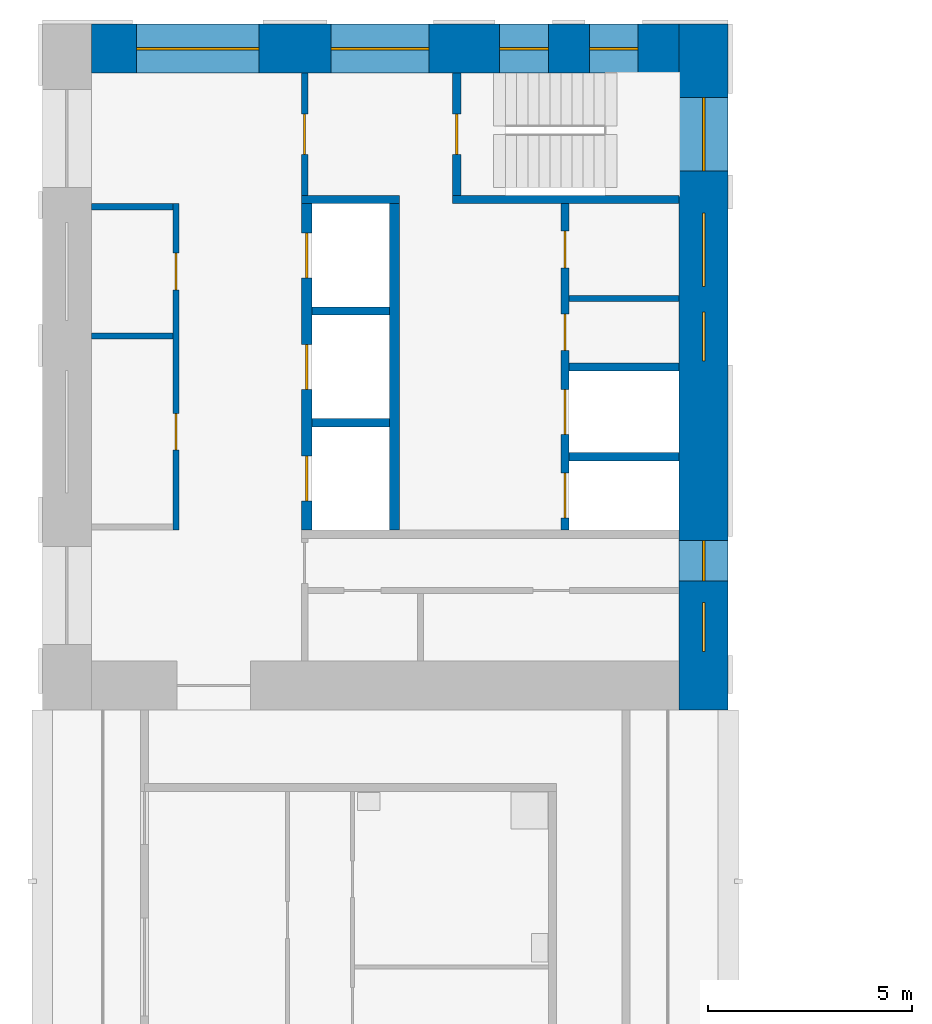
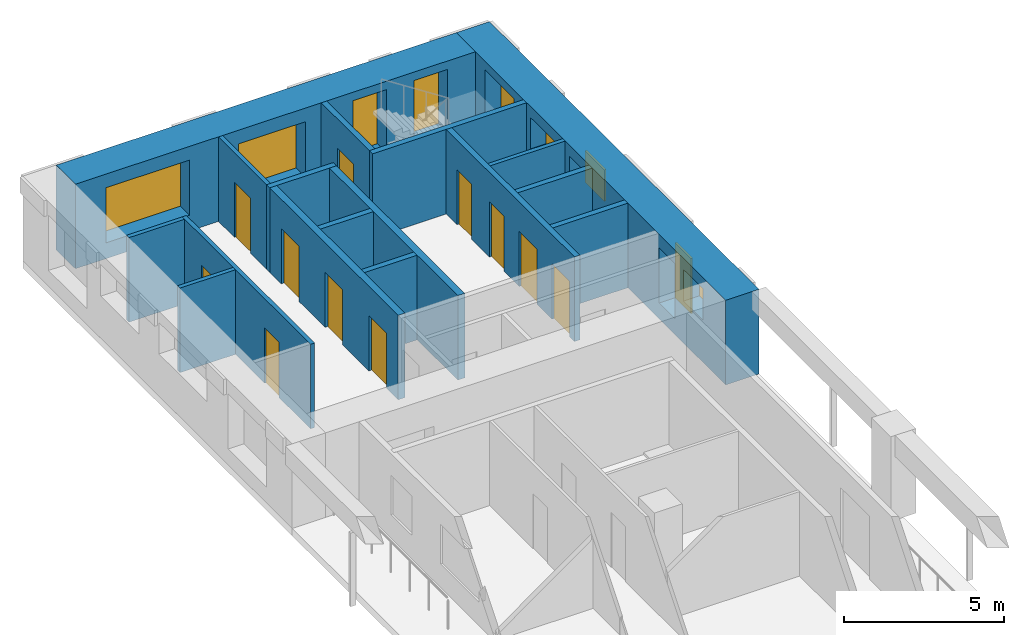
# One storey, part 6 of 11: 17 walls, 11 doors, 9 windows, 20 openings.
"""IFC4 building model written with IfcOpenShell, lengths in metres."""

from ifc_helpers import new_model, si_unit, direction, frame, frame_2d, origin, place, context, subcontext, project, spatial, rectangle, extrude, material, layer, layer_set, type_object, element, fill, save


model = new_model("IFC4")

# Units and contexts
model_context = context("Model", 3, precision=1e-05, world=origin(), true_north=direction((0.0, 1.0)))
body_context = subcontext(model_context, "Body", "Model", "MODEL_VIEW")
ifc_project = project(units=[si_unit("LENGTHUNIT", "METRE"), si_unit("AREAUNIT", "SQUARE_METRE"), si_unit("VOLUMEUNIT", "CUBIC_METRE"), si_unit("PLANEANGLEUNIT", "RADIAN"), si_unit("MASSUNIT", "GRAM", prefix="KILO")], contexts=[model_context])

# Site, building, storey
site_placement = place(None, origin())
site = spatial("IfcSite", under=ifc_project, at=site_placement, CompositionType="ELEMENT")
building_placement = place(site_placement, origin())
building = spatial("IfcBuilding", under=site, at=building_placement, Name="Vermilion Gate Residences", CompositionType="ELEMENT")
storey_placement = place(building_placement, frame((0.0, 0.0, 200.199951171875)))
storey = spatial("IfcBuildingStorey", under=building, at=storey_placement, Name="L52", CompositionType="ELEMENT", Elevation=200.199951171875)

# Walls
ifc_material_1 = material(Name="Masonry blockwork", Category="masonry")
ifc_layer_1 = layer(ifc_material_1, 0.14990234375)
ifc_layer_set_1 = layer_set([ifc_layer_1], Name="BLOCKWORK PARTITION 150 EI 120")
wall_type_1 = type_object("IfcWallType", Name="BLOCKWORK PARTITION 150 EI 120", PredefinedType="PARTITIONING", material=ifc_layer_set_1)
for number, where, z_axis, x_axis, name in (
    (1, (9.60009765625, 54.324951171875, 0.0), (0.0, 0.0, 1.0), (1.0, 0.0, 0.0), "Core room partition B52-RW-W"),
    (2, (9.60009765625, 51.155029296875, 0.0), (0.0, 0.0, 1.0), (1.0, 0.0, 0.0), "Core room partition B52-SR-P0"),
):
    element("IfcWall", number, at=place(storey_placement, frame(where, z_axis=z_axis, x_axis=x_axis)), inside=storey, type_object=wall_type_1, Name=name, PredefinedType="PARTITIONING", context=body_context, shape_type="SweptSolid", body=[
        extrude(rectangle(XDim=2.0, YDim=0.14990234375, at=frame_2d((1.0, 0.0))), origin(), (0.0, 0.0, 1.0), 3.219970703125),
    ])

# Wall, openings, doors
wall_1_placement = place(storey_placement, frame((11.675048828125, 54.39990234375, 0.0), z_axis=(0.0, 0.0, 1.0), x_axis=(0.0, -1.0, 0.0)))
wall_1 = element("IfcWall", 3, at=wall_1_placement, inside=storey, type_object=wall_type_1, Name="Core room partition B52-LR-F", PredefinedType="PARTITIONING", context=body_context, shape_type="SweptSolid", body=[
    extrude(rectangle(XDim=8.0, YDim=0.14990234375, at=frame_2d((4.0, 0.0))), origin(), (0.0, 0.0, 1.0), 3.219970703125),
])
opening_1_placement = place(wall_1_placement, frame((1.2099609375, 0.0, 0.0)))
opening_1 = element("IfcOpeningElement", 4, at=opening_1_placement, cuts=wall_1, Name="Opening DK52102", PredefinedType="OPENING", context=body_context, shape_type="SweptSolid", body=[
    extrude(rectangle(XDim=0.89990234375, YDim=2.10009765625, at=frame_2d((0.449951171875, 1.050048828125))), frame((0.0, 0.0849609375, 0.0), z_axis=(0.0, -1.0, 0.0), x_axis=(1.0, 0.0, 0.0)), (0.0, 0.0, 1.0), 0.169921875),
])
opening_2_placement = place(wall_1_placement, frame((5.135009765625, 0.0, 0.0)))
opening_2 = element("IfcOpeningElement", 5, at=opening_2_placement, cuts=wall_1, Name="Opening DK52103", PredefinedType="OPENING", context=body_context, shape_type="SweptSolid", body=[
    extrude(rectangle(XDim=0.89990234375, YDim=2.10009765625, at=frame_2d((0.449951171875, 1.050048828125))), frame((0.0, 0.0849609375, 0.0), z_axis=(0.0, -1.0, 0.0), x_axis=(1.0, 0.0, 0.0)), (0.0, 0.0, 1.0), 0.169921875),
])
ifc_material_2 = material(Name="Steel", Category="steel")
door_type_1 = type_object("IfcDoorType", Name="SERVICE ROOM DOOR FD60 900 X 2100", OperationType="SINGLE_SWING_LEFT", PredefinedType="DOOR", material=ifc_material_2)
door_1_placement = place(opening_1_placement, frame((0.89990234375, 0.0, 0.0), z_axis=(0.0, 0.0, 1.0), x_axis=(-1.0, 0.0, 0.0)))
door_1 = element("IfcDoor", 6, at=door_1_placement, inside=storey, type_object=door_type_1, Name="Refuse room B52", OperationType="SINGLE_SWING_LEFT", OverallHeight=2.10009765625, OverallWidth=0.89990234375, PredefinedType="DOOR", context=body_context, shape_type="SweptSolid", body=[
    extrude(rectangle(XDim=0.89990234375, YDim=2.10009765625, at=frame_2d((0.449951171875, 1.050048828125))), frame((0.0, 0.02490234375, 0.0), z_axis=(0.0, -1.0, 0.0), x_axis=(1.0, 0.0, 0.0)), (0.0, 0.0, 1.0), 0.050048828125),
])
fill(opening_1, door_1)
door_2_placement = place(opening_2_placement, frame((0.89990234375, 0.0, 0.0), z_axis=(0.0, 0.0, 1.0), x_axis=(-1.0, 0.0, 0.0)))
door_2 = element("IfcDoor", 7, at=door_2_placement, inside=storey, type_object=door_type_1, Name="Parcel room B52", OperationType="SINGLE_SWING_LEFT", OverallHeight=2.10009765625, OverallWidth=0.89990234375, PredefinedType="DOOR", context=body_context, shape_type="SweptSolid", body=[
    extrude(rectangle(XDim=0.89990234375, YDim=2.10009765625, at=frame_2d((0.449951171875, 1.050048828125))), frame((0.0, 0.02490234375, 0.0), z_axis=(0.0, -1.0, 0.0), x_axis=(1.0, 0.0, 0.0)), (0.0, 0.0, 1.0), 0.050048828125),
])
fill(opening_2, door_2)

# Wall
wall_2_placement = place(storey_placement, frame((21.300048828125, 52.074951171875, 0.0), z_axis=(0.0, 0.0, 1.0), x_axis=(1.0, 0.0, 0.0)))
element("IfcWall", 8, at=wall_2_placement, inside=storey, type_object=wall_type_1, Name="Core room partition B52-NR-P0", PredefinedType="PARTITIONING", context=body_context, shape_type="SweptSolid", body=[
    extrude(rectangle(XDim=2.699951171875, YDim=0.14990234375, at=frame_2d((1.35009765625, 0.0))), origin(), (0.0, 0.0, 1.0), 3.219970703125),
])

# Wall, opening, door
wall_3_placement = place(storey_placement, frame((14.824951171875, 57.60009765625, 0.0), z_axis=(0.0, 0.0, 1.0), x_axis=(0.0, -1.0, 0.0)))
wall_3 = element("IfcWall", 9, at=wall_3_placement, inside=storey, type_object=wall_type_1, Name="Core room partition B52-VW-S", PredefinedType="PARTITIONING", context=body_context, shape_type="SweptSolid", body=[
    extrude(rectangle(XDim=3.0, YDim=0.14990234375, at=frame_2d((1.5, 0.0))), origin(), (0.0, 0.0, 1.0), 3.219970703125),
])
opening_3_placement = place(wall_3_placement, frame((1.0, 0.0, 0.0)))
opening_3 = element("IfcOpeningElement", 10, at=opening_3_placement, cuts=wall_3, Name="Opening DK52111", PredefinedType="OPENING", context=body_context, shape_type="SweptSolid", body=[
    extrude(rectangle(XDim=1.0, YDim=2.10009765625, at=frame_2d((0.5, 1.050048828125))), frame((0.0, 0.0849609375, 0.0), z_axis=(0.0, -1.0, 0.0), x_axis=(1.0, 0.0, 0.0)), (0.0, 0.0, 1.0), 0.169921875),
])
ifc_material_3 = material(Name="Steel", Category="steel")
door_type_2 = type_object("IfcDoorType", Name="FIRE DOOR FD60 1000 X 2100", OperationType="SINGLE_SWING_LEFT", PredefinedType="DOOR", material=ifc_material_3)
door_3_placement = place(opening_3_placement, frame((1.0, 0.0, 0.0), z_axis=(0.0, 0.0, 1.0), x_axis=(-1.0, 0.0, 0.0)))
door_3 = element("IfcDoor", 11, at=door_3_placement, inside=storey, type_object=door_type_2, Name="Stair vestibule door B52", OperationType="SINGLE_SWING_RIGHT", OverallHeight=2.10009765625, OverallWidth=1.0, PredefinedType="DOOR", context=body_context, shape_type="SweptSolid", body=[
    extrude(rectangle(XDim=1.0, YDim=2.10009765625, at=frame_2d((0.5, 1.050048828125))), frame((0.0, 0.02490234375, 0.0), z_axis=(0.0, -1.0, 0.0), x_axis=(1.0, 0.0, 0.0)), (0.0, 0.0, 1.0), 0.050048828125),
])
fill(opening_3, door_3)

# Walls
ifc_material_4 = material(Name="Concrete C60", Category="concrete")
ifc_layer_2 = layer(ifc_material_4, 0.199951171875)
ifc_layer_set_2 = layer_set([ifc_layer_2], Name="RC CORE INTERNAL WALL 200 C60")
wall_type_2 = type_object("IfcWallType", Name="RC CORE INTERNAL WALL 200 C60", PredefinedType="SHEAR", material=ifc_layer_set_2)
for number, where, z_axis, x_axis, name in (
    (12, (15.0, 51.7666015625, 0.0), (0.0, 0.0, 1.0), (1.0, 0.0, 0.0), "Core internal wall B52-HR-D1"),
    (13, (15.0, 49.033447265625, 0.0), (0.0, 0.0, 1.0), (1.0, 0.0, 0.0), "Core internal wall B52-HR-D2"),
):
    element("IfcWall", number, at=place(storey_placement, frame(where, z_axis=z_axis, x_axis=x_axis)), inside=storey, type_object=wall_type_2, Name=name, PredefinedType="SHEAR", context=body_context, shape_type="SweptSolid", body=[
        extrude(rectangle(XDim=1.89990234375, YDim=0.199951171875, at=frame_2d((0.949951171875, 0.0))), origin(), (0.0, 0.0, 1.0), 3.219970703125),
    ])
for number, where, z_axis, x_axis, name in (
    (14, (21.300048828125, 50.39990234375, 0.0), (0.0, 0.0, 1.0), (1.0, 0.0, 0.0), "Core internal wall B52-FF-D0"),
    (15, (21.300048828125, 48.199951171875, 0.0), (0.0, 0.0, 1.0), (1.0, 0.0, 0.0), "Core internal wall B52-FF-D1"),
):
    element("IfcWall", number, at=place(storey_placement, frame(where, z_axis=z_axis, x_axis=x_axis)), inside=storey, type_object=wall_type_2, Name=name, PredefinedType="SHEAR", context=body_context, shape_type="SweptSolid", body=[
        extrude(rectangle(XDim=2.699951171875, YDim=0.199951171875, at=frame_2d((1.35009765625, 0.0))), origin(), (0.0, 0.0, 1.0), 3.219970703125),
    ])

# Wall, openings, doors
wall_4_placement = place(storey_placement, frame((21.199951171875, 54.39990234375, 0.0), z_axis=(0.0, 0.0, 1.0), x_axis=(0.0, -1.0, 0.0)))
wall_4 = element("IfcWall", 16, at=wall_4_placement, inside=storey, type_object=wall_type_2, Name="Core internal wall B52-FF-F", PredefinedType="SHEAR", context=body_context, shape_type="SweptSolid", body=[
    extrude(rectangle(XDim=8.0, YDim=0.199951171875, at=frame_2d((4.0, 0.0))), origin(), (0.0, 0.0, 1.0), 3.219970703125),
])
opening_4_placement = place(wall_4_placement, frame((0.675048828125, 0.0, 0.0)))
opening_4 = element("IfcOpeningElement", 17, at=opening_4_placement, cuts=wall_4, Name="Opening DK52107", PredefinedType="OPENING", context=body_context, shape_type="SweptSolid", body=[
    extrude(rectangle(XDim=0.89990234375, YDim=2.10009765625, at=frame_2d((0.449951171875, 1.050048828125))), frame((0.0, 0.10986328125, 0.0), z_axis=(0.0, -1.0, 0.0), x_axis=(1.0, 0.0, 0.0)), (0.0, 0.0, 1.0), 0.219970703125),
])
opening_5_placement = place(wall_4_placement, frame((2.699951171875, 0.0, 0.0)))
opening_5 = element("IfcOpeningElement", 18, at=opening_5_placement, cuts=wall_4, Name="Opening DK52108", PredefinedType="OPENING", context=body_context, shape_type="SweptSolid", body=[
    extrude(rectangle(XDim=0.89990234375, YDim=2.10009765625, at=frame_2d((0.449951171875, 1.050048828125))), frame((0.0, 0.10986328125, 0.0), z_axis=(0.0, -1.0, 0.0), x_axis=(1.0, 0.0, 0.0)), (0.0, 0.0, 1.0), 0.219970703125),
])
opening_6_placement = place(wall_4_placement, frame((4.550048828125, 0.0, 0.0)))
opening_6 = element("IfcOpeningElement", 19, at=opening_6_placement, cuts=wall_4, Name="Opening LD", PredefinedType="OPENING", context=body_context, shape_type="SweptSolid", body=[
    extrude(rectangle(XDim=1.10009765625, YDim=2.10009765625, at=frame_2d((0.550048828125, 1.050048828125))), frame((0.0, 0.10986328125, 0.0), z_axis=(0.0, -1.0, 0.0), x_axis=(1.0, 0.0, 0.0)), (0.0, 0.0, 1.0), 0.219970703125),
])
opening_7_placement = place(wall_4_placement, frame((6.60009765625, 0.0, 0.0)))
opening_7 = element("IfcOpeningElement", 20, at=opening_7_placement, cuts=wall_4, Name="Opening LD", PredefinedType="OPENING", context=body_context, shape_type="SweptSolid", body=[
    extrude(rectangle(XDim=1.10009765625, YDim=2.10009765625, at=frame_2d((0.550048828125, 1.050048828125))), frame((0.0, 0.10986328125, 0.0), z_axis=(0.0, -1.0, 0.0), x_axis=(1.0, 0.0, 0.0)), (0.0, 0.0, 1.0), 0.219970703125),
])
ifc_material_5 = material(Name="Stainless steel", Category="steel")
door_type_3 = type_object("IfcDoorType", Name="LIFT LANDING DOOR E60 1100 X 2100", OperationType="DOUBLE_DOOR_SLIDING", PredefinedType="DOOR", material=ifc_material_5)
door_4_placement = place(opening_6_placement, origin())
door_4 = element("IfcDoor", 21, at=door_4_placement, inside=storey, type_object=door_type_3, Name="Lift landing door LFB1", OperationType="DOUBLE_DOOR_SLIDING", OverallHeight=2.10009765625, OverallWidth=1.10009765625, PredefinedType="DOOR", context=body_context, shape_type="SweptSolid", body=[
    extrude(rectangle(XDim=1.10009765625, YDim=2.10009765625, at=frame_2d((0.550048828125, 1.050048828125))), frame((0.0, 0.02490234375, 0.0), z_axis=(0.0, -1.0, 0.0), x_axis=(1.0, 0.0, 0.0)), (0.0, 0.0, 1.0), 0.050048828125),
])
fill(opening_6, door_4)
door_5_placement = place(opening_7_placement, origin())
door_5 = element("IfcDoor", 22, at=door_5_placement, inside=storey, type_object=door_type_3, Name="Lift landing door LCB1", OperationType="DOUBLE_DOOR_SLIDING", OverallHeight=2.10009765625, OverallWidth=1.10009765625, PredefinedType="DOOR", context=body_context, shape_type="SweptSolid", body=[
    extrude(rectangle(XDim=1.10009765625, YDim=2.10009765625, at=frame_2d((0.550048828125, 1.050048828125))), frame((0.0, 0.02490234375, 0.0), z_axis=(0.0, -1.0, 0.0), x_axis=(1.0, 0.0, 0.0)), (0.0, 0.0, 1.0), 0.050048828125),
])
fill(opening_7, door_5)
door_6_placement = place(opening_4_placement, origin())
door_6 = element("IfcDoor", 23, at=door_6_placement, inside=storey, type_object=door_type_1, Name="Communications riser B52", OperationType="SINGLE_SWING_RIGHT", OverallHeight=2.10009765625, OverallWidth=0.89990234375, PredefinedType="DOOR", context=body_context, shape_type="SweptSolid", body=[
    extrude(rectangle(XDim=0.89990234375, YDim=2.10009765625, at=frame_2d((0.449951171875, 1.050048828125))), frame((0.0, 0.02490234375, 0.0), z_axis=(0.0, -1.0, 0.0), x_axis=(1.0, 0.0, 0.0)), (0.0, 0.0, 1.0), 0.050048828125),
])
fill(opening_4, door_6)
door_7_placement = place(opening_5_placement, origin())
door_7 = element("IfcDoor", 24, at=door_7_placement, inside=storey, type_object=door_type_1, Name="Refuse room B52", OperationType="SINGLE_SWING_RIGHT", OverallHeight=2.10009765625, OverallWidth=0.89990234375, PredefinedType="DOOR", context=body_context, shape_type="SweptSolid", body=[
    extrude(rectangle(XDim=0.89990234375, YDim=2.10009765625, at=frame_2d((0.449951171875, 1.050048828125))), frame((0.0, 0.02490234375, 0.0), z_axis=(0.0, -1.0, 0.0), x_axis=(1.0, 0.0, 0.0)), (0.0, 0.0, 1.0), 0.050048828125),
])
fill(opening_5, door_7)

# Walls
wall_5_placement = place(storey_placement, frame((14.75, 54.5, 0.0), z_axis=(0.0, 0.0, 1.0), x_axis=(1.0, 0.0, 0.0)))
element("IfcWall", 25, at=wall_5_placement, inside=storey, type_object=wall_type_2, Name="Core internal wall B52-WDIV1", PredefinedType="SHEAR", context=body_context, shape_type="SweptSolid", body=[
    extrude(rectangle(XDim=2.39990234375, YDim=0.199951171875, at=frame_2d((1.199951171875, 0.0))), origin(), (0.0, 0.0, 1.0), 3.219970703125),
])
wall_6_placement = place(storey_placement, frame((18.449951171875, 54.5, 0.0), z_axis=(0.0, 0.0, 1.0), x_axis=(1.0, 0.0, 0.0)))
element("IfcWall", 26, at=wall_6_placement, inside=storey, type_object=wall_type_2, Name="Core internal wall B52-WDIV2", PredefinedType="SHEAR", context=body_context, shape_type="SweptSolid", body=[
    extrude(rectangle(XDim=5.550048828125, YDim=0.199951171875, at=frame_2d((2.77490234375, 0.0))), origin(), (0.0, 0.0, 1.0), 3.219970703125),
])

# Wall, opening, door
wall_7_placement = place(storey_placement, frame((18.550048828125, 57.60009765625, 0.0), z_axis=(0.0, 0.0, 1.0), x_axis=(0.0, -1.0, 0.0)))
wall_7 = element("IfcWall", 27, at=wall_7_placement, inside=storey, type_object=wall_type_2, Name="Core internal wall B52-STW-S", PredefinedType="SHEAR", context=body_context, shape_type="SweptSolid", body=[
    extrude(rectangle(XDim=3.0, YDim=0.199951171875, at=frame_2d((1.5, 0.0))), origin(), (0.0, 0.0, 1.0), 3.219970703125),
])
opening_8_placement = place(wall_7_placement, frame((1.0, 0.0, 0.0)))
opening_8 = element("IfcOpeningElement", 28, at=opening_8_placement, cuts=wall_7, Name="Opening DK52112", PredefinedType="OPENING", context=body_context, shape_type="SweptSolid", body=[
    extrude(rectangle(XDim=1.0, YDim=2.10009765625, at=frame_2d((0.5, 1.050048828125))), frame((0.0, 0.10986328125, 0.0), z_axis=(0.0, -1.0, 0.0), x_axis=(1.0, 0.0, 0.0)), (0.0, 0.0, 1.0), 0.219970703125),
])
door_8_placement = place(opening_8_placement, origin())
door_8 = element("IfcDoor", 29, at=door_8_placement, inside=storey, type_object=door_type_2, Name="Stair door B52", OperationType="SINGLE_SWING_LEFT", OverallHeight=2.10009765625, OverallWidth=1.0, PredefinedType="DOOR", context=body_context, shape_type="SweptSolid", body=[
    extrude(rectangle(XDim=1.0, YDim=2.10009765625, at=frame_2d((0.5, 1.050048828125))), frame((0.0, 0.02490234375, 0.0), z_axis=(0.0, -1.0, 0.0), x_axis=(1.0, 0.0, 0.0)), (0.0, 0.0, 1.0), 0.050048828125),
])
fill(opening_8, door_8)

# Wall, openings, windows
ifc_material_6 = material(Name="Concrete C60 red-oxide pigmented", Category="concrete")
ifc_layer_3 = layer(ifc_material_6, 1.199951171875)
ifc_layer_set_3 = layer_set([ifc_layer_3], Name="RC CORE WALL 1200 C60 RED OXIDE")
wall_type_3 = type_object("IfcWallType", Name="RC CORE WALL 1200 C60 RED OXIDE", PredefinedType="SHEAR", material=ifc_layer_set_3)
wall_8_placement = place(storey_placement, frame((24.60009765625, 58.800048828125, 0.0), z_axis=(0.0, 0.0, 1.0), x_axis=(0.0, -1.0, 0.0)))
wall_8 = element("IfcWall", 30, at=wall_8_placement, inside=storey, type_object=wall_type_3, Name="Core wall B52-OUT-B1", PredefinedType="SHEAR", context=body_context, shape_type="SweptSolid", body=[
    extrude(rectangle(XDim=16.800048828125, YDim=1.199951171875, at=frame_2d((8.39990234375, 0.0))), origin(), (0.0, 0.0, 1.0), 3.219970703125),
])
opening_9_placement = place(wall_8_placement, frame((1.800048828125, 0.0, 0.5)))
opening_9 = element("IfcOpeningElement", 31, at=opening_9_placement, cuts=wall_8, Name="Opening WKB5205", PredefinedType="OPENING", context=body_context, shape_type="SweptSolid", body=[
    extrude(rectangle(XDim=1.800048828125, YDim=2.39990234375, at=frame_2d((0.89990234375, 1.199951171875))), frame((0.0, 0.60986328125, 0.0), z_axis=(0.0, -1.0, 0.0), x_axis=(1.0, 0.0, 0.0)), (0.0, 0.0, 1.0), 1.219970703125),
])
opening_10_placement = place(wall_8_placement, frame((4.625, 0.0, 1.60009765625)))
opening_10 = element("IfcOpeningElement", 32, at=opening_10_placement, cuts=wall_8, Name="Opening WKB5206", PredefinedType="OPENING", context=body_context, shape_type="SweptSolid", body=[
    extrude(rectangle(XDim=1.800048828125, YDim=1.199951171875, at=frame_2d((0.89990234375, 0.60009765625))), frame((0.0, 0.60986328125, 0.0), z_axis=(0.0, -1.0, 0.0), x_axis=(1.0, 0.0, 0.0)), (0.0, 0.0, 1.0), 1.219970703125),
])
opening_11_placement = place(wall_8_placement, frame((7.050048828125, 0.0, 1.60009765625)))
opening_11 = element("IfcOpeningElement", 33, at=opening_11_placement, cuts=wall_8, Name="Opening WKB5207", PredefinedType="OPENING", context=body_context, shape_type="SweptSolid", body=[
    extrude(rectangle(XDim=1.199951171875, YDim=1.199951171875, at=frame_2d((0.60009765625, 0.60009765625))), frame((0.0, 0.60986328125, 0.0), z_axis=(0.0, -1.0, 0.0), x_axis=(1.0, 0.0, 0.0)), (0.0, 0.0, 1.0), 1.219970703125),
])
opening_12_placement = place(wall_8_placement, frame((12.64990234375, 0.0, 0.60009765625)))
opening_12 = element("IfcOpeningElement", 34, at=opening_12_placement, cuts=wall_8, Name="Opening WKB5208", PredefinedType="OPENING", context=body_context, shape_type="SweptSolid", body=[
    extrude(rectangle(XDim=1.0, YDim=2.10009765625, at=frame_2d((0.5, 1.050048828125))), frame((0.0, 0.60986328125, 0.0), z_axis=(0.0, -1.0, 0.0), x_axis=(1.0, 0.0, 0.0)), (0.0, 0.0, 1.0), 1.219970703125),
])
opening_13_placement = place(wall_8_placement, frame((14.175048828125, 0.0, 1.60009765625)))
opening_13 = element("IfcOpeningElement", 35, at=opening_13_placement, cuts=wall_8, Name="Opening WKB5209", PredefinedType="OPENING", context=body_context, shape_type="SweptSolid", body=[
    extrude(rectangle(XDim=1.199951171875, YDim=1.199951171875, at=frame_2d((0.60009765625, 0.60009765625))), frame((0.0, 0.60986328125, 0.0), z_axis=(0.0, -1.0, 0.0), x_axis=(1.0, 0.0, 0.0)), (0.0, 0.0, 1.0), 1.219970703125),
])
ifc_material_7 = material(Name="Aluminium and clear glass", Category="aluminium")
window_type_1 = type_object("IfcWindowType", Name="CORE CORRIDOR WINDOW 1000 X 2100", PartitioningType="SINGLE_PANEL", PredefinedType="WINDOW", material=ifc_material_7)
window_1_placement = place(opening_12_placement, origin())
window_1 = element("IfcWindow", 36, at=window_1_placement, inside=storey, type_object=window_type_1, Name="Core corridor window", OverallHeight=2.10009765625, OverallWidth=1.0, PartitioningType="SINGLE_PANEL", PredefinedType="WINDOW", context=body_context, shape_type="SweptSolid", body=[
    extrude(rectangle(XDim=1.0, YDim=2.10009765625, at=frame_2d((0.5, 1.050048828125))), frame((0.0, 0.030029296875, 0.0), z_axis=(0.0, -1.0, 0.0), x_axis=(1.0, 0.0, 0.0)), (0.0, 0.0, 1.0), 0.06005859375),
])
fill(opening_12, window_1)
ifc_material_8 = material(Name="Aluminium frame with louvre blades", Category="aluminium")
window_type_2 = type_object("IfcWindowType", Name="CORE LOUVRE 1200 X 1200", PartitioningType="SINGLE_PANEL", PredefinedType="WINDOW", material=ifc_material_8)
window_2_placement = place(opening_11_placement, origin())
window_2 = element("IfcWindow", 37, at=window_2_placement, inside=storey, type_object=window_type_2, Name="Core louvre", OverallHeight=1.199951171875, OverallWidth=1.199951171875, PartitioningType="SINGLE_PANEL", PredefinedType="WINDOW", context=body_context, shape_type="SweptSolid", body=[
    extrude(rectangle(XDim=1.199951171875, YDim=1.199951171875, at=frame_2d((0.60009765625, 0.60009765625))), frame((0.0, 0.030029296875, 0.0), z_axis=(0.0, -1.0, 0.0), x_axis=(1.0, 0.0, 0.0)), (0.0, 0.0, 1.0), 0.06005859375),
])
fill(opening_11, window_2)
window_3_placement = place(opening_13_placement, origin())
window_3 = element("IfcWindow", 38, at=window_3_placement, inside=storey, type_object=window_type_2, Name="Core louvre", OverallHeight=1.199951171875, OverallWidth=1.199951171875, PartitioningType="SINGLE_PANEL", PredefinedType="WINDOW", context=body_context, shape_type="SweptSolid", body=[
    extrude(rectangle(XDim=1.199951171875, YDim=1.199951171875, at=frame_2d((0.60009765625, 0.60009765625))), frame((0.0, 0.030029296875, 0.0), z_axis=(0.0, -1.0, 0.0), x_axis=(1.0, 0.0, 0.0)), (0.0, 0.0, 1.0), 0.06005859375),
])
fill(opening_13, window_3)
ifc_material_9 = material(Name="Aluminium frame with louvre blades", Category="aluminium")
window_type_3 = type_object("IfcWindowType", Name="CORE LOUVRE 1800 X 1200", PartitioningType="SINGLE_PANEL", PredefinedType="WINDOW", material=ifc_material_9)
window_4_placement = place(opening_10_placement, origin())
window_4 = element("IfcWindow", 39, at=window_4_placement, inside=storey, type_object=window_type_3, Name="Core louvre", OverallHeight=1.199951171875, OverallWidth=1.800048828125, PartitioningType="SINGLE_PANEL", PredefinedType="WINDOW", context=body_context, shape_type="SweptSolid", body=[
    extrude(rectangle(XDim=1.800048828125, YDim=1.199951171875, at=frame_2d((0.89990234375, 0.60009765625))), frame((0.0, 0.030029296875, 0.0), z_axis=(0.0, -1.0, 0.0), x_axis=(1.0, 0.0, 0.0)), (0.0, 0.0, 1.0), 0.06005859375),
])
fill(opening_10, window_4)
ifc_material_10 = material(Name="Aluminium and clear glass", Category="aluminium")
window_type_4 = type_object("IfcWindowType", Name="CORE STAIR WINDOW 1800 X 2400", PartitioningType="SINGLE_PANEL", PredefinedType="WINDOW", material=ifc_material_10)
window_5_placement = place(opening_9_placement, origin())
window_5 = element("IfcWindow", 40, at=window_5_placement, inside=storey, type_object=window_type_4, Name="Core stair window", OverallHeight=2.39990234375, OverallWidth=1.800048828125, PartitioningType="SINGLE_PANEL", PredefinedType="WINDOW", context=body_context, shape_type="SweptSolid", body=[
    extrude(rectangle(XDim=1.800048828125, YDim=2.39990234375, at=frame_2d((0.89990234375, 1.199951171875))), frame((0.0, 0.030029296875, 0.0), z_axis=(0.0, -1.0, 0.0), x_axis=(1.0, 0.0, 0.0)), (0.0, 0.0, 1.0), 0.06005859375),
])
fill(opening_9, window_5)

wall_9_placement = place(storey_placement, frame((9.60009765625, 58.199951171875, 0.0), z_axis=(0.0, 0.0, 1.0), x_axis=(1.0, 0.0, 0.0)))
wall_9 = element("IfcWall", 41, at=wall_9_placement, inside=storey, type_object=wall_type_3, Name="Core wall B52-OUT-FR", PredefinedType="SHEAR", context=body_context, shape_type="SweptSolid", body=[
    extrude(rectangle(XDim=14.39990234375, YDim=1.199951171875, at=frame_2d((7.199951171875, 0.0))), origin(), (0.0, 0.0, 1.0), 3.219970703125),
])
opening_14_placement = place(wall_9_placement, frame((1.10498046875, 0.0, 0.60009765625)))
opening_14 = element("IfcOpeningElement", 42, at=opening_14_placement, cuts=wall_9, Name="Opening WKB5210", PredefinedType="OPENING", context=body_context, shape_type="SweptSolid", body=[
    extrude(rectangle(XDim=3.0, YDim=2.10009765625, at=frame_2d((1.5, 1.050048828125))), frame((0.0, 0.60986328125, 0.0), z_axis=(0.0, -1.0, 0.0), x_axis=(1.0, 0.0, 0.0)), (0.0, 0.0, 1.0), 1.219970703125),
])
opening_15_placement = place(wall_9_placement, frame((5.875, 0.0, 0.60009765625)))
opening_15 = element("IfcOpeningElement", 43, at=opening_15_placement, cuts=wall_9, Name="Opening WKB5211", PredefinedType="OPENING", context=body_context, shape_type="SweptSolid", body=[
    extrude(rectangle(XDim=2.39990234375, YDim=2.10009765625, at=frame_2d((1.199951171875, 1.050048828125))), frame((0.0, 0.60986328125, 0.0), z_axis=(0.0, -1.0, 0.0), x_axis=(1.0, 0.0, 0.0)), (0.0, 0.0, 1.0), 1.219970703125),
])
opening_16_placement = place(wall_9_placement, frame((9.993408203125, 0.0, 0.5)))
opening_16 = element("IfcOpeningElement", 44, at=opening_16_placement, cuts=wall_9, Name="Opening WKB5212", PredefinedType="OPENING", context=body_context, shape_type="SweptSolid", body=[
    extrude(rectangle(XDim=1.199951171875, YDim=2.39990234375, at=frame_2d((0.60009765625, 1.199951171875))), frame((0.0, 0.60986328125, 0.0), z_axis=(0.0, -1.0, 0.0), x_axis=(1.0, 0.0, 0.0)), (0.0, 0.0, 1.0), 1.219970703125),
])
opening_17_placement = place(wall_9_placement, frame((12.19677734375, 0.0, 0.5)))
opening_17 = element("IfcOpeningElement", 45, at=opening_17_placement, cuts=wall_9, Name="Opening WKB5213", PredefinedType="OPENING", context=body_context, shape_type="SweptSolid", body=[
    extrude(rectangle(XDim=1.199951171875, YDim=2.39990234375, at=frame_2d((0.60009765625, 1.199951171875))), frame((0.0, 0.60986328125, 0.0), z_axis=(0.0, -1.0, 0.0), x_axis=(1.0, 0.0, 0.0)), (0.0, 0.0, 1.0), 1.219970703125),
])
ifc_material_11 = material(Name="Aluminium and clear glass", Category="aluminium")
window_type_5 = type_object("IfcWindowType", Name="CORE LOBBY WINDOW 2400 X 2100", PartitioningType="SINGLE_PANEL", PredefinedType="WINDOW", material=ifc_material_11)
window_6_placement = place(opening_15_placement, origin())
window_6 = element("IfcWindow", 46, at=window_6_placement, inside=storey, type_object=window_type_5, Name="Core lobby window", OverallHeight=2.10009765625, OverallWidth=2.39990234375, PartitioningType="SINGLE_PANEL", PredefinedType="WINDOW", context=body_context, shape_type="SweptSolid", body=[
    extrude(rectangle(XDim=2.39990234375, YDim=2.10009765625, at=frame_2d((1.199951171875, 1.050048828125))), frame((0.0, 0.030029296875, 0.0), z_axis=(0.0, -1.0, 0.0), x_axis=(1.0, 0.0, 0.0)), (0.0, 0.0, 1.0), 0.06005859375),
])
fill(opening_15, window_6)
ifc_material_12 = material(Name="Aluminium and clear glass", Category="aluminium")
window_type_6 = type_object("IfcWindowType", Name="CORE LOBBY WINDOW 3000 X 2100", PartitioningType="SINGLE_PANEL", PredefinedType="WINDOW", material=ifc_material_12)
window_7_placement = place(opening_14_placement, origin())
window_7 = element("IfcWindow", 47, at=window_7_placement, inside=storey, type_object=window_type_6, Name="Core lobby window", OverallHeight=2.10009765625, OverallWidth=3.0, PartitioningType="SINGLE_PANEL", PredefinedType="WINDOW", context=body_context, shape_type="SweptSolid", body=[
    extrude(rectangle(XDim=3.0, YDim=2.10009765625, at=frame_2d((1.5, 1.050048828125))), frame((0.0, 0.030029296875, 0.0), z_axis=(0.0, -1.0, 0.0), x_axis=(1.0, 0.0, 0.0)), (0.0, 0.0, 1.0), 0.06005859375),
])
fill(opening_14, window_7)
ifc_material_13 = material(Name="Aluminium and clear glass", Category="aluminium")
window_type_7 = type_object("IfcWindowType", Name="CORE STAIR WINDOW 1200 X 2400", PartitioningType="SINGLE_PANEL", PredefinedType="WINDOW", material=ifc_material_13)
window_8_placement = place(opening_16_placement, origin())
window_8 = element("IfcWindow", 48, at=window_8_placement, inside=storey, type_object=window_type_7, Name="Core stair window", OverallHeight=2.39990234375, OverallWidth=1.199951171875, PartitioningType="SINGLE_PANEL", PredefinedType="WINDOW", context=body_context, shape_type="SweptSolid", body=[
    extrude(rectangle(XDim=1.199951171875, YDim=2.39990234375, at=frame_2d((0.60009765625, 1.199951171875))), frame((0.0, 0.030029296875, 0.0), z_axis=(0.0, -1.0, 0.0), x_axis=(1.0, 0.0, 0.0)), (0.0, 0.0, 1.0), 0.06005859375),
])
fill(opening_16, window_8)
window_9_placement = place(opening_17_placement, origin())
window_9 = element("IfcWindow", 49, at=window_9_placement, inside=storey, type_object=window_type_7, Name="Core stair window", OverallHeight=2.39990234375, OverallWidth=1.199951171875, PartitioningType="SINGLE_PANEL", PredefinedType="WINDOW", context=body_context, shape_type="SweptSolid", body=[
    extrude(rectangle(XDim=1.199951171875, YDim=2.39990234375, at=frame_2d((0.60009765625, 1.199951171875))), frame((0.0, 0.030029296875, 0.0), z_axis=(0.0, -1.0, 0.0), x_axis=(1.0, 0.0, 0.0)), (0.0, 0.0, 1.0), 0.06005859375),
])
fill(opening_17, window_9)

# Wall, openings, doors
ifc_material_14 = material(Name="Concrete C60", Category="concrete")
ifc_layer_4 = layer(ifc_material_14, 0.25)
ifc_layer_set_4 = layer_set([ifc_layer_4], Name="RC LIFT SHAFT WALL 250 C60")
wall_type_4 = type_object("IfcWallType", Name="RC LIFT SHAFT WALL 250 C60", PredefinedType="SHEAR", material=ifc_layer_set_4)
wall_10_placement = place(storey_placement, frame((14.875, 54.39990234375, 0.0), z_axis=(0.0, 0.0, 1.0), x_axis=(0.0, -1.0, 0.0)))
wall_10 = element("IfcWall", 50, at=wall_10_placement, inside=storey, type_object=wall_type_4, Name="Lift shaft wall B52-HR-F", PredefinedType="SHEAR", context=body_context, shape_type="SweptSolid", body=[
    extrude(rectangle(XDim=8.0, YDim=0.25, at=frame_2d((4.0, 0.0))), origin(), (0.0, 0.0, 1.0), 3.219970703125),
])
opening_18_placement = place(wall_10_placement, frame((0.716552734375, 0.0, 0.0)))
opening_18 = element("IfcOpeningElement", 51, at=opening_18_placement, cuts=wall_10, Name="Opening LD", PredefinedType="OPENING", context=body_context, shape_type="SweptSolid", body=[
    extrude(rectangle(XDim=1.10009765625, YDim=2.10009765625, at=frame_2d((0.550048828125, 1.050048828125))), frame((0.0, 0.135009765625, 0.0), z_axis=(0.0, -1.0, 0.0), x_axis=(1.0, 0.0, 0.0)), (0.0, 0.0, 1.0), 0.27001953125),
])
opening_19_placement = place(wall_10_placement, frame((3.449951171875, 0.0, 0.0)))
opening_19 = element("IfcOpeningElement", 52, at=opening_19_placement, cuts=wall_10, Name="Opening LD", PredefinedType="OPENING", context=body_context, shape_type="SweptSolid", body=[
    extrude(rectangle(XDim=1.10009765625, YDim=2.10009765625, at=frame_2d((0.550048828125, 1.050048828125))), frame((0.0, 0.135009765625, 0.0), z_axis=(0.0, -1.0, 0.0), x_axis=(1.0, 0.0, 0.0)), (0.0, 0.0, 1.0), 0.27001953125),
])
opening_20_placement = place(wall_10_placement, frame((6.183349609375, 0.0, 0.0)))
opening_20 = element("IfcOpeningElement", 53, at=opening_20_placement, cuts=wall_10, Name="Opening LD", PredefinedType="OPENING", context=body_context, shape_type="SweptSolid", body=[
    extrude(rectangle(XDim=1.10009765625, YDim=2.10009765625, at=frame_2d((0.550048828125, 1.050048828125))), frame((0.0, 0.135009765625, 0.0), z_axis=(0.0, -1.0, 0.0), x_axis=(1.0, 0.0, 0.0)), (0.0, 0.0, 1.0), 0.27001953125),
])
door_9_placement = place(opening_18_placement, origin())
door_9 = element("IfcDoor", 54, at=door_9_placement, inside=storey, type_object=door_type_3, Name="Lift landing door HRB1", OperationType="DOUBLE_DOOR_SLIDING", OverallHeight=2.10009765625, OverallWidth=1.10009765625, PredefinedType="DOOR", context=body_context, shape_type="SweptSolid", body=[
    extrude(rectangle(XDim=1.10009765625, YDim=2.10009765625, at=frame_2d((0.550048828125, 1.050048828125))), frame((0.0, 0.02490234375, 0.0), z_axis=(0.0, -1.0, 0.0), x_axis=(1.0, 0.0, 0.0)), (0.0, 0.0, 1.0), 0.050048828125),
])
fill(opening_18, door_9)
door_10_placement = place(opening_19_placement, origin())
door_10 = element("IfcDoor", 55, at=door_10_placement, inside=storey, type_object=door_type_3, Name="Lift landing door HRB2", OperationType="DOUBLE_DOOR_SLIDING", OverallHeight=2.10009765625, OverallWidth=1.10009765625, PredefinedType="DOOR", context=body_context, shape_type="SweptSolid", body=[
    extrude(rectangle(XDim=1.10009765625, YDim=2.10009765625, at=frame_2d((0.550048828125, 1.050048828125))), frame((0.0, 0.02490234375, 0.0), z_axis=(0.0, -1.0, 0.0), x_axis=(1.0, 0.0, 0.0)), (0.0, 0.0, 1.0), 0.050048828125),
])
fill(opening_19, door_10)
door_11_placement = place(opening_20_placement, origin())
door_11 = element("IfcDoor", 56, at=door_11_placement, inside=storey, type_object=door_type_3, Name="Lift landing door HRB3", OperationType="DOUBLE_DOOR_SLIDING", OverallHeight=2.10009765625, OverallWidth=1.10009765625, PredefinedType="DOOR", context=body_context, shape_type="SweptSolid", body=[
    extrude(rectangle(XDim=1.10009765625, YDim=2.10009765625, at=frame_2d((0.550048828125, 1.050048828125))), frame((0.0, 0.02490234375, 0.0), z_axis=(0.0, -1.0, 0.0), x_axis=(1.0, 0.0, 0.0)), (0.0, 0.0, 1.0), 0.050048828125),
])
fill(opening_20, door_11)

# Wall
wall_11_placement = place(storey_placement, frame((17.02490234375, 54.39990234375, 0.0), z_axis=(0.0, 0.0, 1.0), x_axis=(0.0, -1.0, 0.0)))
element("IfcWall", 57, at=wall_11_placement, inside=storey, type_object=wall_type_4, Name="Lift shaft wall B52-HR-B", PredefinedType="SHEAR", context=body_context, shape_type="SweptSolid", body=[
    extrude(rectangle(XDim=8.0, YDim=0.25, at=frame_2d((4.0, 0.0))), origin(), (0.0, 0.0, 1.0), 3.219970703125),
])

save(model, "model.ifc")
